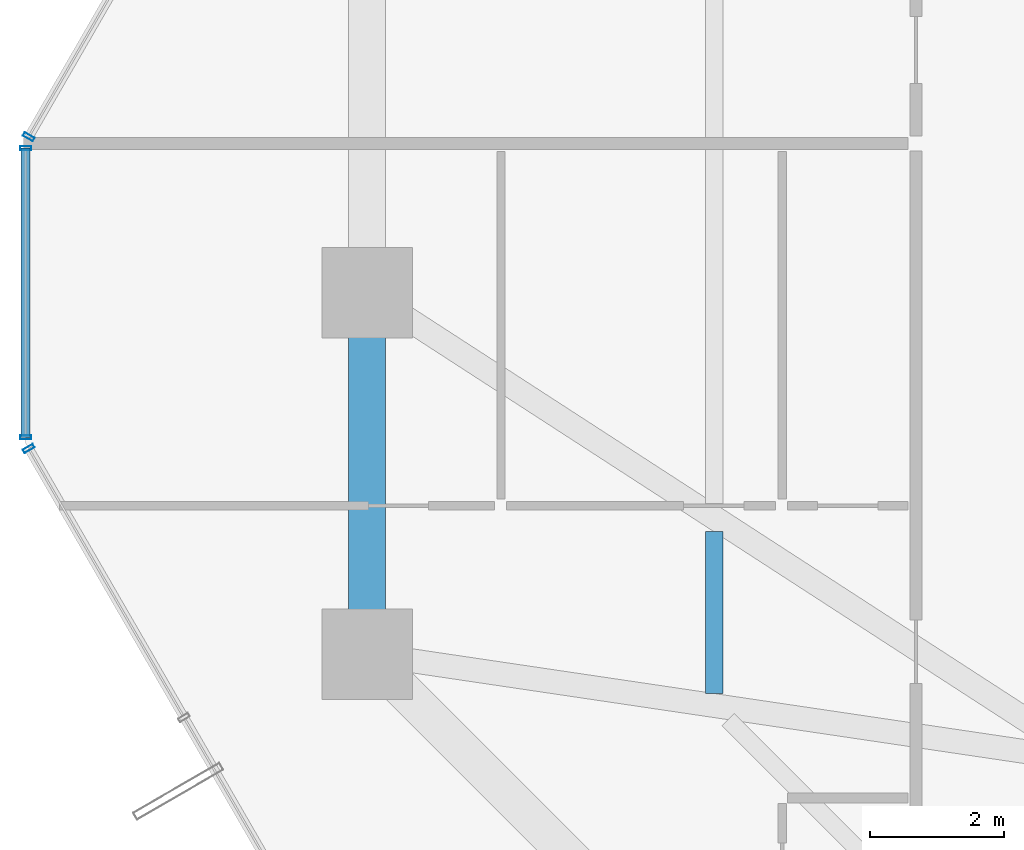
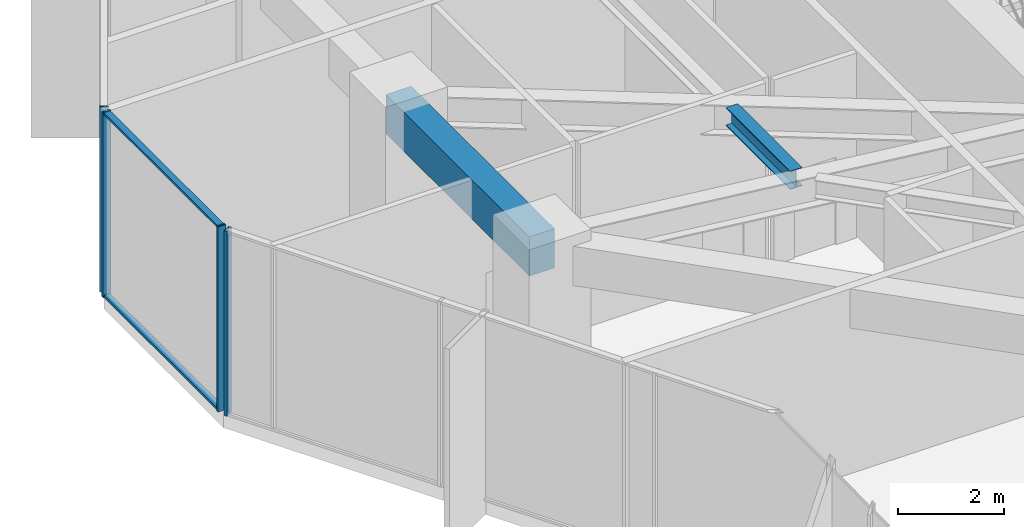
# One storey, part 10 of 39: 6 members, 2 beams, 3 elements without a shape of their own.
"""IFC4 building model written with IfcOpenShell, lengths in metres."""

from ifc_helpers import new_model, si_unit, direction, frame, origin, origin_2d, place, context, subcontext, project, spatial, rectangle, hollow_rectangle, i_section, extrude, source, transform, mapped, material, layer, layer_set, material_profile, profile_set, type_object, element, aggregate, save


model = new_model("IFC4")

# Units and contexts
model_context = context("Model", 3, precision=1e-05, world=origin(), true_north=direction((0.0, 1.0)))
body_context = subcontext(model_context, "Body", "Model", "MODEL_VIEW")
ifc_project = project(units=[si_unit("LENGTHUNIT", "METRE"), si_unit("AREAUNIT", "SQUARE_METRE"), si_unit("VOLUMEUNIT", "CUBIC_METRE"), si_unit("PLANEANGLEUNIT", "RADIAN"), si_unit("MASSUNIT", "GRAM", prefix="KILO")], contexts=[model_context])

# Site, building, storey
site_placement = place(None, origin())
site = spatial("IfcSite", under=ifc_project, at=site_placement, CompositionType="ELEMENT")
building_placement = place(site_placement, origin())
building = spatial("IfcBuilding", under=site, at=building_placement, Name="Veraguas Prism Commons", CompositionType="ELEMENT")
storey_placement = place(building_placement, frame((0.0, 0.0, 22.800048828125)))
storey = spatial("IfcBuildingStorey", under=building, at=storey_placement, Name="L05", CompositionType="ELEMENT", Elevation=22.800048828125)

# Beams
ifc_material_1 = material(Name="Steel ASTM A992 Grade 50", Category="steel")
ifc_material_profile_1 = material_profile(ifc_material_1, i_section(OverallWidth=0.260986328125, OverallDepth=0.419921875, WebThickness=0.01171875, FlangeThickness=0.019287109375, at=origin_2d()), Name="W410X114")
ifc_profile_set_1 = profile_set([ifc_material_profile_1], Name="Steel ASTM A992 Grade 50")
beam_type_1 = type_object("IfcBeamType", Name="Lower Floor Joist W410x114", PredefinedType="JOIST", material=ifc_profile_set_1)
beam_1_placement = place(storey_placement, frame((11.583984375, 20.430419921875, 4.0400390625), z_axis=(0.0, -1.0, 0.0), x_axis=(1.0, 0.0, 0.0)))
element("IfcBeam", 1, at=beam_1_placement, inside=storey, type_object=beam_type_1, Name="Composite Floor Joist L05-JS08", PredefinedType="JOIST", context=body_context, shape_type="SweptSolid", body=[
    extrude(i_section(OverallWidth=0.260986328125, OverallDepth=0.419921875, WebThickness=0.01171875, FlangeThickness=0.019287109375, at=origin_2d()), origin(), (0.0, 0.0, 1.0), 2.42041015625),
])
ifc_material_2 = material(Name="Concrete C50/60", Category="concrete")
ifc_material_profile_2 = material_profile(ifc_material_2, rectangle(XDim=0.550048828125, YDim=0.89990234375, at=origin_2d()), Name="RC550X900")
ifc_profile_set_2 = profile_set([ifc_material_profile_2], Name="Concrete C50/60")
beam_type_2 = type_object("IfcBeamType", Name="Perimeter Spandrel Lower RC 550x900", PredefinedType="SPANDREL", material=ifc_profile_set_2)
beam_2_placement = place(storey_placement, frame((6.39990234375, 24.0, 3.800048828125), z_axis=(0.0, -1.0, 0.0), x_axis=(1.0, 0.0, 0.0)))
element("IfcBeam", 2, at=beam_2_placement, inside=storey, type_object=beam_type_2, Name="Perimeter Spandrel Beam L05-SP08", PredefinedType="SPANDREL", context=body_context, shape_type="SweptSolid", body=[
    extrude(rectangle(XDim=0.550048828125, YDim=0.89990234375, at=origin_2d()), origin(), (0.0, 0.0, 1.0), 5.39990234375),
])

# Curtain wall, member
ifc_material_3 = material(Name="Anodised aluminium EN AW-6063 T6", Category="aluminium")
ifc_layer = layer(ifc_material_3, 0.169921875, Name="Unitised Flush Curtain Wall Zone 1", Category="aluminium")
ifc_layer_set = layer_set([ifc_layer], Name="Anodised aluminium EN AW-6063 T6")
curtain_wall_type = type_object("IfcCurtainWallType", Name="Unitised Flush Curtain Wall Zone 1", PredefinedType="NOTDEFINED", material=ifc_layer_set)
curtain_wall_1_placement = place(storey_placement, origin())
curtain_wall_1 = element("IfcCurtainWall", 3, at=curtain_wall_1_placement, inside=storey, type_object=curtain_wall_type, Name="Tower Facade Curtain Wall L05-F3", PredefinedType="NOTDEFINED")
ifc_material_profile_3 = material_profile(ifc_material_3, hollow_rectangle(XDim=0.06005859375, YDim=0.169921875, WallThickness=0.00390625, at=origin_2d()), Name="AL60X170X4")
ifc_profile_set_3 = profile_set([ifc_material_profile_3], Name="Anodised aluminium EN AW-6063 T6")
member_type_1 = type_object("IfcMemberType", Name="Curtain Wall Mullion Lower AL 60x170x4", PredefinedType="MULLION", material=ifc_profile_set_3)
shared_shape_1 = source(origin(), body_context, "Body", "SweptSolid", [
    extrude(hollow_rectangle(XDim=0.06005859375, YDim=0.169921875, WallThickness=0.00390625, at=origin_2d()), origin(), (0.0, 0.0, 1.0), 4.25),
])
member_1_placement = place(storey_placement, frame((1.343994140625, 26.327880859375, 0.0), z_axis=(0.0, 0.0, 1.0), x_axis=(-0.500004534492, -0.866022785779, 0.0)))
member_1 = element("IfcMember", 4, at=member_1_placement, type_object=member_type_1, Name="CW-Z1 Mullion 5", PredefinedType="MULLION", context=body_context, shape_type="MappedRepresentation", body=[
    mapped(shared_shape_1, transform((0.0, 0.0, 0.0), scale=1.0)),
])
aggregate(curtain_wall_1, [member_1])

curtain_wall_2_placement = place(storey_placement, origin())
curtain_wall_2 = element("IfcCurtainWall", 5, at=curtain_wall_2_placement, inside=storey, type_object=curtain_wall_type, Name="Tower Facade Curtain Wall L05-F4", PredefinedType="NOTDEFINED")
member_2_placement = place(storey_placement, frame((1.343994140625, 21.672119140625, 0.0), z_axis=(0.0, 0.0, 1.0), x_axis=(0.500004534492, -0.866022785779, 0.0)))
member_2 = element("IfcMember", 6, at=member_2_placement, type_object=member_type_1, Name="CW-Z1 Mullion 1", PredefinedType="MULLION", context=body_context, shape_type="MappedRepresentation", body=[
    mapped(shared_shape_1, transform((0.0, 0.0, 0.0), scale=1.0)),
])
aggregate(curtain_wall_2, [member_2])

# Curtain wall, members
curtain_wall_3_placement = place(storey_placement, origin())
curtain_wall_3 = element("IfcCurtainWall", 7, at=curtain_wall_3_placement, inside=storey, type_object=curtain_wall_type, Name="Chamfer Curtain Wall L05-C4", PredefinedType="NOTDEFINED")
member_3_placement = place(storey_placement, frame((1.299072265625, 26.159912109375, 0.0), z_axis=(0.0, 0.0, 1.0), x_axis=(0.0, -1.0, 0.0)))
member_3 = element("IfcMember", 8, at=member_3_placement, type_object=member_type_1, Name="CW-Z1 Mullion 1", PredefinedType="MULLION", context=body_context, shape_type="MappedRepresentation", body=[
    mapped(shared_shape_1, transform((0.0, 0.0, 0.0), scale=1.0)),
])
member_4_placement = place(storey_placement, frame((1.299072265625, 21.840087890625, 0.0), z_axis=(0.0, 0.0, 1.0), x_axis=(0.0, -1.0, 0.0)))
member_4 = element("IfcMember", 9, at=member_4_placement, type_object=member_type_1, Name="CW-Z1 Mullion 2", PredefinedType="MULLION", context=body_context, shape_type="MappedRepresentation", body=[
    mapped(shared_shape_1, transform((0.0, 0.0, 0.0), scale=1.0)),
])
ifc_material_profile_4 = material_profile(ifc_material_3, hollow_rectangle(XDim=0.054931640625, YDim=0.135009765625, WallThickness=0.0029296875, at=origin_2d()), Name="AL55X135X3")
ifc_profile_set_4 = profile_set([ifc_material_profile_4], Name="Anodised aluminium EN AW-6063 T6")
member_type_2 = type_object("IfcMemberType", Name="Curtain Wall Transom Standard AL 55x135x3", PredefinedType="USERDEFINED", material=ifc_profile_set_4)
shared_shape_2 = source(origin(), body_context, "Body", "SweptSolid", [
    extrude(hollow_rectangle(XDim=0.054931640625, YDim=0.135009765625, WallThickness=0.0029296875, at=origin_2d()), origin(), (0.0, 0.0, 1.0), 4.31982421875),
])
member_5_placement = place(storey_placement, frame((1.299072265625, 26.159912109375, 0.02734375), z_axis=(0.0, -1.0, 0.0), x_axis=(0.0, 0.0, 1.0)))
member_5 = element("IfcMember", 10, at=member_5_placement, type_object=member_type_2, Name="CW-Z1 Transom 1", ObjectType="TRANSOM", PredefinedType="USERDEFINED", context=body_context, shape_type="MappedRepresentation", body=[
    mapped(shared_shape_2, transform((0.0, 0.0, 0.0), scale=1.0)),
])
member_6_placement = place(storey_placement, frame((1.299072265625, 26.159912109375, 4.222412109375), z_axis=(0.0, -1.0, 0.0), x_axis=(0.0, 0.0, 1.0)))
member_6 = element("IfcMember", 11, at=member_6_placement, type_object=member_type_2, Name="CW-Z1 Transom 2", ObjectType="TRANSOM", PredefinedType="USERDEFINED", context=body_context, shape_type="MappedRepresentation", body=[
    mapped(shared_shape_2, transform((0.0, 0.0, 0.0), scale=1.0)),
])
aggregate(curtain_wall_3, [member_3, member_4, member_5, member_6])

save(model, "model.ifc")
